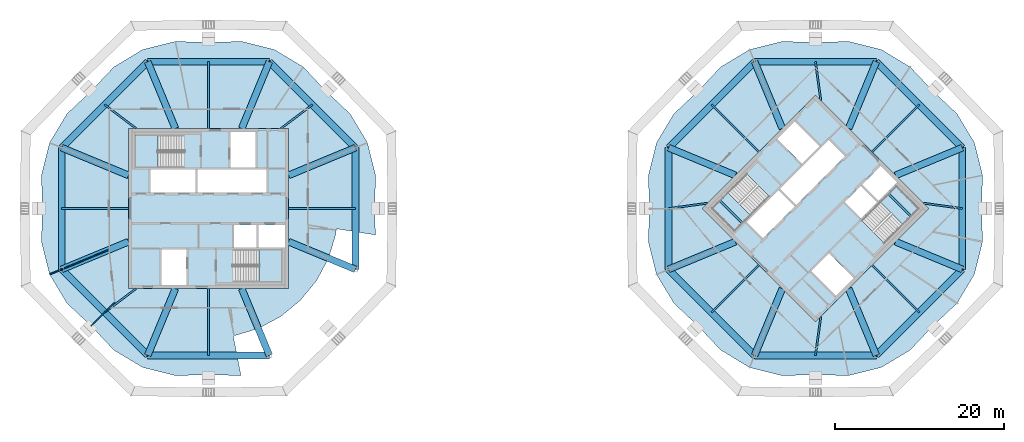
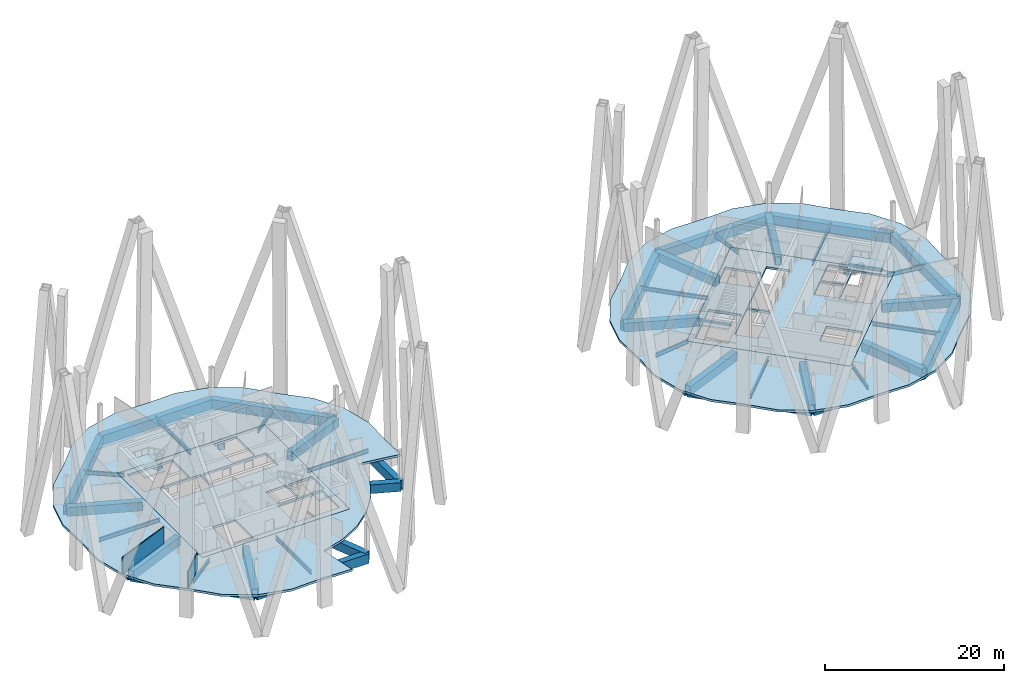
# One storey, part 3 of 11: 48 beams, 8 slabs, 2 walls, 4 elements without a shape of their own.
"""IFC4 building model written with IfcOpenShell, lengths in metres."""

from ifc_helpers import new_model, si_unit, direction, frame, frame_2d, origin, origin_2d, place, context, subcontext, project, spatial, polyline, rectangle, hollow_rectangle, i_section, outline, extrude, material, layer, layer_set, material_profile, profile_set, type_object, element, aggregate, save


model = new_model("IFC4")

# Units and contexts
model_context = context("Model", 3, precision=1e-05, world=origin(), true_north=direction((0.0, 1.0)))
body_context = subcontext(model_context, "Body", "Model", "MODEL_VIEW")
ifc_project = project(units=[si_unit("LENGTHUNIT", "METRE"), si_unit("AREAUNIT", "SQUARE_METRE"), si_unit("VOLUMEUNIT", "CUBIC_METRE"), si_unit("PLANEANGLEUNIT", "RADIAN"), si_unit("MASSUNIT", "GRAM", prefix="KILO")], contexts=[model_context])

# Site, building, storey
site_placement = place(None, origin())
site = spatial("IfcSite", under=ifc_project, at=site_placement, CompositionType="ELEMENT")
building_placement = place(site_placement, origin())
building = spatial("IfcBuilding", under=site, at=building_placement, Name="Ogive Gate Towers", CompositionType="ELEMENT")
storey_placement = place(building_placement, frame((0.0, 0.0, 244.5)))
storey = spatial("IfcBuildingStorey", under=building, at=storey_placement, Name="L58", CompositionType="ELEMENT", Elevation=244.5)

# Beams
ifc_material_1 = material(Name="Steel SM460", Category="steel")
ifc_material_profile_1 = material_profile(ifc_material_1, hollow_rectangle(XDim=0.800048828125, YDim=1.300048828125, WallThickness=0.050048828125, at=origin_2d()), Name="BX 1300x800x50")
ifc_profile_set_1 = profile_set([ifc_material_profile_1], Name="Steel SM460")
beam_type_1 = type_object("IfcBeamType", Name="Edge girder BX 1300x800x50", PredefinedType="BEAM", material=ifc_profile_set_1)
beam_1_placement = place(storey_placement, frame((-53.42431640625, -7.217529296875, -0.949951171875), z_axis=(0.707106781187, -0.707106781187, 0.0), x_axis=(0.707106781187, 0.707106781187, 0.0)))
element("IfcBeam", 1, at=beam_1_placement, inside=storey, type_object=beam_type_1, Name="T1/L58/SBM016", PredefinedType="BEAM", context=body_context, shape_type="SweptSolid", body=[
    extrude(hollow_rectangle(XDim=0.800048828125, YDim=1.300048828125, WallThickness=0.050048828125, at=origin_2d()), origin(), (0.0, 0.0, 1.0), 14.4345703125),
])
for number, where, z_axis, x_axis, name in (
    (2, (-43.217529296875, -17.42431640625, -0.949951171875), (1.0, 0.0, 0.0), (0.0, 1.0, 0.0), "T1/L58/SBM017"),
    (3, (-18.57568359375, -7.217529296875, -0.949951171875), (0.0, 1.0, 0.0), (-1.0, 0.0, 0.0), "T1/L58/SBM018"),
):
    element("IfcBeam", number, at=place(storey_placement, frame(where, z_axis=z_axis, x_axis=x_axis)), inside=storey, type_object=beam_type_1, Name=name, PredefinedType="BEAM", context=body_context, shape_type="SweptSolid", body=[
        extrude(hollow_rectangle(XDim=0.800048828125, YDim=1.300048828125, WallThickness=0.050048828125, at=origin_2d()), origin(), (0.0, 0.0, 1.0), 14.43505859375),
    ])
beam_2_placement = place(storey_placement, frame((-18.57568359375, 7.217529296875, -0.949951171875), z_axis=(-0.707106781187, 0.707106781187, 0.0), x_axis=(-0.707106781187, -0.707106781187, 0.0)))
element("IfcBeam", 4, at=beam_2_placement, inside=storey, type_object=beam_type_1, Name="T1/L58/SBM019", PredefinedType="BEAM", context=body_context, shape_type="SweptSolid", body=[
    extrude(hollow_rectangle(XDim=0.800048828125, YDim=1.300048828125, WallThickness=0.050048828125, at=origin_2d()), origin(), (0.0, 0.0, 1.0), 14.4345703125),
])
beam_3_placement = place(storey_placement, frame((-28.782470703125, 17.42431640625, -0.949951171875), z_axis=(-1.0, 0.0, 0.0), x_axis=(0.0, -1.0, 0.0)))
element("IfcBeam", 5, at=beam_3_placement, inside=storey, type_object=beam_type_1, Name="T1/L58/SBM020", PredefinedType="BEAM", context=body_context, shape_type="SweptSolid", body=[
    extrude(hollow_rectangle(XDim=0.800048828125, YDim=1.300048828125, WallThickness=0.050048828125, at=origin_2d()), origin(), (0.0, 0.0, 1.0), 14.43505859375),
])
beam_4_placement = place(storey_placement, frame((-43.217529296875, 17.42431640625, -0.949951171875), z_axis=(-0.707106781187, -0.707106781187, 0.0), x_axis=(0.707106781187, -0.707106781187, 0.0)))
element("IfcBeam", 6, at=beam_4_placement, inside=storey, type_object=beam_type_1, Name="T1/L58/SBM021", PredefinedType="BEAM", context=body_context, shape_type="SweptSolid", body=[
    extrude(hollow_rectangle(XDim=0.800048828125, YDim=1.300048828125, WallThickness=0.050048828125, at=origin_2d()), origin(), (0.0, 0.0, 1.0), 14.4345703125),
])
beam_5_placement = place(storey_placement, frame((-53.42431640625, 7.217529296875, -0.949951171875), z_axis=(0.0, -1.0, 0.0), x_axis=(1.0, 0.0, 0.0)))
element("IfcBeam", 7, at=beam_5_placement, inside=storey, type_object=beam_type_1, Name="T1/L58/SBM022", PredefinedType="BEAM", context=body_context, shape_type="SweptSolid", body=[
    extrude(hollow_rectangle(XDim=0.800048828125, YDim=1.300048828125, WallThickness=0.050048828125, at=origin_2d()), origin(), (0.0, 0.0, 1.0), 14.43505859375),
])
beam_6_placement = place(storey_placement, frame((18.57568359375, -7.217529296875, -0.949951171875), z_axis=(0.707106781187, -0.707106781187, 0.0), x_axis=(0.707106781187, 0.707106781187, 0.0)))
element("IfcBeam", 8, at=beam_6_placement, inside=storey, type_object=beam_type_1, Name="T2/L58/SBM017", PredefinedType="BEAM", context=body_context, shape_type="SweptSolid", body=[
    extrude(hollow_rectangle(XDim=0.800048828125, YDim=1.300048828125, WallThickness=0.050048828125, at=origin_2d()), origin(), (0.0, 0.0, 1.0), 14.4345703125),
])
beam_7_placement = place(storey_placement, frame((28.782470703125, -17.42431640625, -0.949951171875), z_axis=(1.0, 0.0, 0.0), x_axis=(0.0, 1.0, 0.0)))
element("IfcBeam", 9, at=beam_7_placement, inside=storey, type_object=beam_type_1, Name="T2/L58/SBM018", PredefinedType="BEAM", context=body_context, shape_type="SweptSolid", body=[
    extrude(hollow_rectangle(XDim=0.800048828125, YDim=1.300048828125, WallThickness=0.050048828125, at=origin_2d()), origin(), (0.0, 0.0, 1.0), 14.43505859375),
])
beam_8_placement = place(storey_placement, frame((43.217529296875, -17.42431640625, -0.949951171875), z_axis=(0.707106781187, 0.707106781187, 0.0), x_axis=(-0.707106781187, 0.707106781187, 0.0)))
element("IfcBeam", 10, at=beam_8_placement, inside=storey, type_object=beam_type_1, Name="T2/L58/SBM019", PredefinedType="BEAM", context=body_context, shape_type="SweptSolid", body=[
    extrude(hollow_rectangle(XDim=0.800048828125, YDim=1.300048828125, WallThickness=0.050048828125, at=origin_2d()), origin(), (0.0, 0.0, 1.0), 14.4345703125),
])
beam_9_placement = place(storey_placement, frame((53.42431640625, -7.217529296875, -0.949951171875), z_axis=(0.0, 1.0, 0.0), x_axis=(-1.0, 0.0, 0.0)))
element("IfcBeam", 11, at=beam_9_placement, inside=storey, type_object=beam_type_1, Name="T2/L58/SBM020", PredefinedType="BEAM", context=body_context, shape_type="SweptSolid", body=[
    extrude(hollow_rectangle(XDim=0.800048828125, YDim=1.300048828125, WallThickness=0.050048828125, at=origin_2d()), origin(), (0.0, 0.0, 1.0), 14.43505859375),
])
beam_10_placement = place(storey_placement, frame((53.42431640625, 7.217529296875, -0.949951171875), z_axis=(-0.707106781187, 0.707106781187, 0.0), x_axis=(-0.707106781187, -0.707106781187, 0.0)))
element("IfcBeam", 12, at=beam_10_placement, inside=storey, type_object=beam_type_1, Name="T2/L58/SBM021", PredefinedType="BEAM", context=body_context, shape_type="SweptSolid", body=[
    extrude(hollow_rectangle(XDim=0.800048828125, YDim=1.300048828125, WallThickness=0.050048828125, at=origin_2d()), origin(), (0.0, 0.0, 1.0), 14.4345703125),
])
beam_11_placement = place(storey_placement, frame((43.217529296875, 17.42431640625, -0.949951171875), z_axis=(-1.0, 0.0, 0.0), x_axis=(0.0, -1.0, 0.0)))
element("IfcBeam", 13, at=beam_11_placement, inside=storey, type_object=beam_type_1, Name="T2/L58/SBM022", PredefinedType="BEAM", context=body_context, shape_type="SweptSolid", body=[
    extrude(hollow_rectangle(XDim=0.800048828125, YDim=1.300048828125, WallThickness=0.050048828125, at=origin_2d()), origin(), (0.0, 0.0, 1.0), 14.43505859375),
])
beam_12_placement = place(storey_placement, frame((28.782470703125, 17.42431640625, -0.949951171875), z_axis=(-0.707106781187, -0.707106781187, 0.0), x_axis=(0.707106781187, -0.707106781187, 0.0)))
element("IfcBeam", 14, at=beam_12_placement, inside=storey, type_object=beam_type_1, Name="T2/L58/SBM023", PredefinedType="BEAM", context=body_context, shape_type="SweptSolid", body=[
    extrude(hollow_rectangle(XDim=0.800048828125, YDim=1.300048828125, WallThickness=0.050048828125, at=origin_2d()), origin(), (0.0, 0.0, 1.0), 14.4345703125),
])
beam_13_placement = place(storey_placement, frame((18.57568359375, 7.217529296875, -0.949951171875), z_axis=(0.0, -1.0, 0.0), x_axis=(1.0, 0.0, 0.0)))
element("IfcBeam", 15, at=beam_13_placement, inside=storey, type_object=beam_type_1, Name="T2/L58/SBM024", PredefinedType="BEAM", context=body_context, shape_type="SweptSolid", body=[
    extrude(hollow_rectangle(XDim=0.800048828125, YDim=1.300048828125, WallThickness=0.050048828125, at=origin_2d()), origin(), (0.0, 0.0, 1.0), 14.43505859375),
])
ifc_material_2 = material(Name="Concrete C40/50", Category="concrete")
ifc_material_profile_2 = material_profile(ifc_material_2, rectangle(XDim=0.25, YDim=0.300048828125, at=origin_2d()), Name="RC 250x300")
ifc_profile_set_2 = profile_set([ifc_material_profile_2], Name="Concrete C40/50")
beam_type_2 = type_object("IfcBeamType", Name="Landing bearer RC 250x300", PredefinedType="BEAM", material=ifc_profile_set_2)
for number, where, z_axis, x_axis, name in (
    (16, (24.650390625, 0.9541015625, 1.60009765625), (0.707106781187, -0.707106781187, 0.0), (0.707106781187, 0.707106781187, 0.0), "T2 L58 stair 1 landing bearer 1"),
    (17, (47.349609375, -0.9541015625, 1.60009765625), (-0.707106781187, 0.707106781187, 0.0), (-0.707106781187, -0.707106781187, 0.0), "T2 L58 stair 2 landing bearer 1"),
):
    element("IfcBeam", number, at=place(storey_placement, frame(where, z_axis=z_axis, x_axis=x_axis)), inside=storey, type_object=beam_type_2, Name=name, PredefinedType="BEAM", context=body_context, shape_type="SweptSolid", body=[
        extrude(rectangle(XDim=0.25, YDim=0.300048828125, at=origin_2d()), origin(), (0.0, 0.0, 1.0), 3.824951171875),
    ])
ifc_material_3 = material(Name="Steel SM355", Category="steel")
ifc_material_profile_3 = material_profile(ifc_material_3, i_section(OverallWidth=0.2099609375, OverallDepth=0.550048828125, WebThickness=0.010986328125, FlangeThickness=0.01708984375, FilletRadius=0.02392578125, at=origin_2d()), Name="IPE 550")
ifc_profile_set_3 = profile_set([ifc_material_profile_3], Name="Steel SM355")
beam_type_3 = type_object("IfcBeamType", Name="Radial floor beam IPE 550", PredefinedType="BEAM", material=ifc_profile_set_3)
beam_14_placement = place(storey_placement, frame((-44.60009765625, -9.5, -0.574951171875), z_axis=(-0.796877025219, -0.604141545235, 0.0), x_axis=(0.604141545235, -0.796877025219, 0.0)))
element("IfcBeam", 18, at=beam_14_placement, inside=storey, type_object=beam_type_3, Name="T1/L58/SBM002", PredefinedType="BEAM", context=body_context, shape_type="SweptSolid", body=[
    extrude(i_section(OverallWidth=0.2099609375, OverallDepth=0.550048828125, WebThickness=0.010986328125, FlangeThickness=0.01708984375, FilletRadius=0.02392578125, at=origin_2d()), origin(), (0.0, 0.0, 1.0), 4.669189453125),
])
for number, where, z_axis, x_axis, name in (
    (19, (-36.0, -9.5, -0.574951171875), (0.0, -1.0, 0.0), (1.0, 0.0, 0.0), "T1/L58/SBM004"),
    (20, (-26.5, 0.0, -0.574951171875), (1.0, 0.0, 0.0), (0.0, 1.0, 0.0), "T1/L58/SBM007"),
):
    element("IfcBeam", number, at=place(storey_placement, frame(where, z_axis=z_axis, x_axis=x_axis)), inside=storey, type_object=beam_type_3, Name=name, PredefinedType="BEAM", context=body_context, shape_type="SweptSolid", body=[
        extrude(i_section(OverallWidth=0.2099609375, OverallDepth=0.550048828125, WebThickness=0.010986328125, FlangeThickness=0.01708984375, FilletRadius=0.02392578125, at=origin_2d()), origin(), (0.0, 0.0, 1.0), 7.92431640625),
    ])
beam_15_placement = place(storey_placement, frame((-27.39990234375, 9.5, -0.574951171875), z_axis=(0.796877025219, 0.604141545235, 0.0), x_axis=(-0.604141545235, 0.796877025219, 0.0)))
element("IfcBeam", 21, at=beam_15_placement, inside=storey, type_object=beam_type_3, Name="T1/L58/SBM009", PredefinedType="BEAM", context=body_context, shape_type="SweptSolid", body=[
    extrude(i_section(OverallWidth=0.2099609375, OverallDepth=0.550048828125, WebThickness=0.010986328125, FlangeThickness=0.01708984375, FilletRadius=0.02392578125, at=origin_2d()), origin(), (0.0, 0.0, 1.0), 4.669189453125),
])
beam_16_placement = place(storey_placement, frame((-36.0, 9.5, -0.574951171875), z_axis=(0.0, 1.0, 0.0), x_axis=(-1.0, 0.0, 0.0)))
element("IfcBeam", 22, at=beam_16_placement, inside=storey, type_object=beam_type_3, Name="T1/L58/SBM011", PredefinedType="BEAM", context=body_context, shape_type="SweptSolid", body=[
    extrude(i_section(OverallWidth=0.2099609375, OverallDepth=0.550048828125, WebThickness=0.010986328125, FlangeThickness=0.01708984375, FilletRadius=0.02392578125, at=origin_2d()), origin(), (0.0, 0.0, 1.0), 7.92431640625),
])
beam_17_placement = place(storey_placement, frame((-44.60009765625, 9.5, -0.574951171875), z_axis=(-0.796877025219, 0.604141545235, 0.0), x_axis=(-0.604141545235, -0.796877025219, 0.0)))
element("IfcBeam", 23, at=beam_17_placement, inside=storey, type_object=beam_type_3, Name="T1/L58/SBM013", PredefinedType="BEAM", context=body_context, shape_type="SweptSolid", body=[
    extrude(i_section(OverallWidth=0.2099609375, OverallDepth=0.550048828125, WebThickness=0.010986328125, FlangeThickness=0.01708984375, FilletRadius=0.02392578125, at=origin_2d()), origin(), (0.0, 0.0, 1.0), 4.669189453125),
])
for number, where, z_axis, x_axis, name in (
    (24, (-45.5, 0.0, -0.574951171875), (-1.0, 0.0, 0.0), (0.0, -1.0, 0.0), "T1/L58/SBM015"),
    (25, (29.282470703125, -6.717529296875, -0.574951171875), (-0.707106781187, -0.707106781187, 0.0), (0.707106781187, -0.707106781187, 0.0), "T2/L58/SBM002"),
):
    element("IfcBeam", number, at=place(storey_placement, frame(where, z_axis=z_axis, x_axis=x_axis)), inside=storey, type_object=beam_type_3, Name=name, PredefinedType="BEAM", context=body_context, shape_type="SweptSolid", body=[
        extrude(i_section(OverallWidth=0.2099609375, OverallDepth=0.550048828125, WebThickness=0.010986328125, FlangeThickness=0.01708984375, FilletRadius=0.02392578125, at=origin_2d()), origin(), (0.0, 0.0, 1.0), 7.92431640625),
    ])
beam_18_placement = place(storey_placement, frame((36.636474609375, -12.798583984375, -0.574951171875), z_axis=(-0.136310067219, -0.990666223092, 0.0), x_axis=(0.990666223092, -0.136310067219, 0.0)))
element("IfcBeam", 26, at=beam_18_placement, inside=storey, type_object=beam_type_3, Name="T2/L58/SBM004", PredefinedType="BEAM", context=body_context, shape_type="SweptSolid", body=[
    extrude(i_section(OverallWidth=0.2099609375, OverallDepth=0.550048828125, WebThickness=0.010986328125, FlangeThickness=0.01708984375, FilletRadius=0.02392578125, at=origin_2d()), origin(), (0.0, 0.0, 1.0), 4.66943359375),
])
beam_19_placement = place(storey_placement, frame((42.717529296875, -6.717529296875, -0.574951171875), z_axis=(0.707106781187, -0.707106781187, 0.0), x_axis=(0.707106781187, 0.707106781187, 0.0)))
element("IfcBeam", 27, at=beam_19_placement, inside=storey, type_object=beam_type_3, Name="T2/L58/SBM006", PredefinedType="BEAM", context=body_context, shape_type="SweptSolid", body=[
    extrude(i_section(OverallWidth=0.2099609375, OverallDepth=0.550048828125, WebThickness=0.010986328125, FlangeThickness=0.01708984375, FilletRadius=0.02392578125, at=origin_2d()), origin(), (0.0, 0.0, 1.0), 7.92431640625),
])
beam_20_placement = place(storey_placement, frame((48.798583984375, 0.636474609375, -0.574951171875), z_axis=(0.990666223092, -0.136310067219, 0.0), x_axis=(0.136310067219, 0.990666223092, 0.0)))
element("IfcBeam", 28, at=beam_20_placement, inside=storey, type_object=beam_type_3, Name="T2/L58/SBM008", PredefinedType="BEAM", context=body_context, shape_type="SweptSolid", body=[
    extrude(i_section(OverallWidth=0.2099609375, OverallDepth=0.550048828125, WebThickness=0.010986328125, FlangeThickness=0.01708984375, FilletRadius=0.02392578125, at=origin_2d()), origin(), (0.0, 0.0, 1.0), 4.66943359375),
])
beam_21_placement = place(storey_placement, frame((42.717529296875, 6.717529296875, -0.574951171875), z_axis=(0.707106781187, 0.707106781187, 0.0), x_axis=(-0.707106781187, 0.707106781187, 0.0)))
element("IfcBeam", 29, at=beam_21_placement, inside=storey, type_object=beam_type_3, Name="T2/L58/SBM010", PredefinedType="BEAM", context=body_context, shape_type="SweptSolid", body=[
    extrude(i_section(OverallWidth=0.2099609375, OverallDepth=0.550048828125, WebThickness=0.010986328125, FlangeThickness=0.01708984375, FilletRadius=0.02392578125, at=origin_2d()), origin(), (0.0, 0.0, 1.0), 7.92431640625),
])
beam_22_placement = place(storey_placement, frame((36.636474609375, 12.798583984375, -0.574951171875), z_axis=(-0.136310067219, 0.990666223092, 0.0), x_axis=(-0.990666223092, -0.136310067219, 0.0)))
element("IfcBeam", 30, at=beam_22_placement, inside=storey, type_object=beam_type_3, Name="T2/L58/SBM012", PredefinedType="BEAM", context=body_context, shape_type="SweptSolid", body=[
    extrude(i_section(OverallWidth=0.2099609375, OverallDepth=0.550048828125, WebThickness=0.010986328125, FlangeThickness=0.01708984375, FilletRadius=0.02392578125, at=origin_2d()), origin(), (0.0, 0.0, 1.0), 4.66943359375),
])
beam_23_placement = place(storey_placement, frame((29.282470703125, 6.717529296875, -0.574951171875), z_axis=(-0.707106781187, 0.707106781187, 0.0), x_axis=(-0.707106781187, -0.707106781187, 0.0)))
element("IfcBeam", 31, at=beam_23_placement, inside=storey, type_object=beam_type_3, Name="T2/L58/SBM014", PredefinedType="BEAM", context=body_context, shape_type="SweptSolid", body=[
    extrude(i_section(OverallWidth=0.2099609375, OverallDepth=0.550048828125, WebThickness=0.010986328125, FlangeThickness=0.01708984375, FilletRadius=0.02392578125, at=origin_2d()), origin(), (0.0, 0.0, 1.0), 7.92431640625),
])
beam_24_placement = place(storey_placement, frame((23.201416015625, 0.636474609375, -0.574951171875), z_axis=(-0.990666223092, -0.136310067219, 0.0), x_axis=(0.136310067219, -0.990666223092, 0.0)))
element("IfcBeam", 32, at=beam_24_placement, inside=storey, type_object=beam_type_3, Name="T2/L58/SBM016", PredefinedType="BEAM", context=body_context, shape_type="SweptSolid", body=[
    extrude(i_section(OverallWidth=0.2099609375, OverallDepth=0.550048828125, WebThickness=0.010986328125, FlangeThickness=0.01708984375, FilletRadius=0.02392578125, at=origin_2d()), origin(), (0.0, 0.0, 1.0), 4.66943359375),
])
ifc_material_profile_4 = material_profile(ifc_material_1, hollow_rectangle(XDim=0.800048828125, YDim=1.199951171875, WallThickness=0.050048828125, at=origin_2d()), Name="BX 1200x800x50")
ifc_profile_set_4 = profile_set([ifc_material_profile_4], Name="Steel SM460")
beam_type_4 = type_object("IfcBeamType", Name="Transfer radial beam BX 1200x800x50", PredefinedType="BEAM", material=ifc_profile_set_4)
for number, where, z_axis, x_axis, name in (
    (33, (-45.5, -3.93505859375, -0.89990234375), (-0.923874941579, -0.382694515667, 0.0), (0.382694515667, -0.923874941579, 0.0), "T1/L58/SBM001"),
    (34, (-39.93505859375, -9.5, -0.89990234375), (-0.382694515667, -0.923874941579, 0.0), (0.923874941579, -0.382694515667, 0.0), "T1/L58/SBM003"),
    (35, (-32.06494140625, -9.5, -0.89990234375), (0.382694515667, -0.923874941579, 0.0), (0.923874941579, 0.382694515667, 0.0), "T1/L58/SBM005"),
    (36, (-26.5, -3.93505859375, -0.89990234375), (0.923874941579, -0.382694515667, 0.0), (0.382694515667, 0.923874941579, 0.0), "T1/L58/SBM006"),
    (37, (-26.5, 3.93505859375, -0.89990234375), (0.923874941579, 0.382694515667, 0.0), (-0.382694515667, 0.923874941579, 0.0), "T1/L58/SBM008"),
    (38, (-32.06494140625, 9.5, -0.89990234375), (0.382694515667, 0.923874941579, 0.0), (-0.923874941579, 0.382694515667, 0.0), "T1/L58/SBM010"),
    (39, (-39.93505859375, 9.5, -0.89990234375), (-0.382694515667, 0.923874941579, 0.0), (-0.923874941579, -0.382694515667, 0.0), "T1/L58/SBM012"),
    (40, (-45.5, 3.93505859375, -0.89990234375), (-0.923874941579, 0.382694515667, 0.0), (-0.382694515667, -0.923874941579, 0.0), "T1/L58/SBM014"),
    (41, (26.5, -3.93505859375, -0.89990234375), (-0.923874941579, -0.382694515667, 0.0), (0.382694515667, -0.923874941579, 0.0), "T2/L58/SBM001"),
    (42, (32.06494140625, -9.5, -0.89990234375), (-0.382694515667, -0.923874941579, 0.0), (0.923874941579, -0.382694515667, 0.0), "T2/L58/SBM003"),
    (43, (39.93505859375, -9.5, -0.89990234375), (0.382694515667, -0.923874941579, 0.0), (0.923874941579, 0.382694515667, 0.0), "T2/L58/SBM005"),
    (44, (45.5, -3.93505859375, -0.89990234375), (0.923874941579, -0.382694515667, 0.0), (0.382694515667, 0.923874941579, 0.0), "T2/L58/SBM007"),
    (45, (45.5, 3.93505859375, -0.89990234375), (0.923874941579, 0.382694515667, 0.0), (-0.382694515667, 0.923874941579, 0.0), "T2/L58/SBM009"),
    (46, (39.93505859375, 9.5, -0.89990234375), (0.382694515667, 0.923874941579, 0.0), (-0.923874941579, 0.382694515667, 0.0), "T2/L58/SBM011"),
    (47, (32.06494140625, 9.5, -0.89990234375), (-0.382694515667, 0.923874941579, 0.0), (-0.923874941579, -0.382694515667, 0.0), "T2/L58/SBM013"),
    (48, (26.5, 3.93505859375, -0.89990234375), (-0.923874941579, 0.382694515667, 0.0), (-0.382694515667, -0.923874941579, 0.0), "T2/L58/SBM015"),
):
    element("IfcBeam", number, at=place(storey_placement, frame(where, z_axis=z_axis, x_axis=x_axis)), inside=storey, type_object=beam_type_4, Name=name, PredefinedType="BEAM", context=body_context, shape_type="SweptSolid", body=[
        extrude(hollow_rectangle(XDim=0.800048828125, YDim=1.199951171875, WallThickness=0.050048828125, at=origin_2d()), origin(), (0.0, 0.0, 1.0), 8.5771484375),
    ])

# Slabs
ifc_layer_1 = layer(ifc_material_2, 0.300048828125)
ifc_layer_set_1 = layer_set([ifc_layer_1], Name="Core slab C40/50 300 mm")
slab_type_1 = type_object("IfcSlabType", Name="Core slab C40/50 300 mm", PredefinedType="FLOOR", material=ifc_layer_set_1)
slab_1_placement = place(storey_placement, frame((0.0, 0.0, -0.300048828125)))
element("IfcSlab", 49, at=slab_1_placement, inside=storey, type_object=slab_type_1, Name="T1 L58 core slab", PredefinedType="FLOOR", context=body_context, shape_type="SweptSolid", body=[
    extrude(outline(polyline([(-45.5, -9.5), (-45.5, 9.5), (-26.5, 9.5), (-26.5, -9.5), (-45.5, -9.5)]), holes=[polyline([(-42.875, 1.925048828125), (-37.574951171875, 1.925048828125), (-37.574951171875, 4.625), (-42.875, 4.625), (-42.875, 1.925048828125)]), polyline([(-37.324951171875, 4.625), (-37.324951171875, 1.925048828125), (-29.125, 1.925048828125), (-29.125, 4.625), (-37.324951171875, 4.625)]), polyline([(-30.324951171875, -1.925048828125), (-32.97509765625, -1.925048828125), (-32.97509765625, -4.625), (-30.324951171875, -4.625), (-30.324951171875, -1.925048828125)]), polyline([(-26.949951171875, -4.625), (-26.949951171875, -1.925048828125), (-30.074951171875, -1.925048828125), (-30.074951171875, -4.625), (-26.949951171875, -4.625)]), polyline([(-33.375, 4.875), (-30.425048828125, 4.875), (-30.425048828125, 9.050048828125), (-33.375, 9.050048828125), (-33.375, 4.875)]), polyline([(-41.574951171875, -4.875), (-41.574951171875, -9.050048828125), (-38.625, -9.050048828125), (-38.625, -4.875), (-41.574951171875, -4.875)]), polyline([(-44.699951171875, 4.875), (-38.885009765625, 4.875), (-38.885009765625, 8.699951171875), (-44.699951171875, 8.699951171875), (-44.699951171875, 4.875)]), polyline([(-27.300048828125, -8.699951171875), (-27.300048828125, -4.875), (-33.114990234375, -4.875), (-33.114990234375, -8.699951171875), (-27.300048828125, -8.699951171875)])]), origin(), (0.0, 0.0, 1.0), 0.300048828125),
])
slab_2_placement = place(storey_placement, frame((0.0, 0.0, -0.300048828125)))
element("IfcSlab", 50, at=slab_2_placement, inside=storey, type_object=slab_type_1, Name="T2 L58 core slab", PredefinedType="FLOOR", context=body_context, shape_type="SweptSolid", body=[
    extrude(outline(polyline([(36.0, -13.43505859375), (22.56494140625, 0.0), (36.0, 13.43505859375), (49.43505859375, 0.0), (36.0, -13.43505859375)]), holes=[polyline([(29.777587890625, -3.500244140625), (33.525146484375, 0.24755859375), (31.615966796875, 2.15673828125), (27.868408203125, -1.591064453125), (29.777587890625, -3.500244140625)]), polyline([(31.792724609375, 2.33349609375), (33.701904296875, 0.42431640625), (39.500244140625, 6.222412109375), (37.591064453125, 8.131591796875), (31.792724609375, 2.33349609375)]), polyline([(41.3740234375, 2.651611328125), (39.500244140625, 0.77783203125), (41.409423828125, -1.13134765625), (43.283203125, 0.742431640625), (41.3740234375, 2.651611328125)]), polyline([(45.669677734375, 3.12890625), (43.760498046875, 5.0380859375), (41.55078125, 2.828369140625), (43.4599609375, 0.919189453125), (45.669677734375, 3.12890625)]), polyline([(34.408935546875, 5.30322265625), (36.4951171875, 7.389404296875), (33.542724609375, 10.34130859375), (31.456787109375, 8.255615234375), (34.408935546875, 5.30322265625)]), polyline([(35.5048828125, -7.389404296875), (38.457275390625, -10.34130859375), (40.543212890625, -8.255615234375), (37.591064453125, -5.30322265625), (35.5048828125, -7.389404296875)]), polyline([(26.40087890625, -2.70458984375), (30.512939453125, 1.406982421875), (27.80810546875, 4.11181640625), (23.6962890625, 0.0), (26.40087890625, -2.70458984375)]), polyline([(48.3037109375, 0.0), (45.59912109375, 2.70458984375), (41.487060546875, -1.406982421875), (44.19189453125, -4.11181640625), (48.3037109375, 0.0)])]), origin(), (0.0, 0.0, 1.0), 0.300048828125),
])
ifc_material_4 = material(Name="Concrete C35/45", Category="concrete")
ifc_layer_2 = layer(ifc_material_4, 0.300048828125)
ifc_layer_set_2 = layer_set([ifc_layer_2], Name="Floor slab 300")
slab_type_2 = type_object("IfcSlabType", Name="Floor slab 300", PredefinedType="FLOOR", material=ifc_layer_set_2)
slab_3_placement = place(storey_placement, frame((0.0, 0.0, -0.300048828125)))
element("IfcSlab", 51, at=slab_3_placement, inside=storey, type_object=slab_type_2, Name="T1/L58/SSL001", PredefinedType="FLOOR", context=body_context, shape_type="SweptSolid", body=[
    extrude(outline(polyline([(-39.94287109375, -19.82177734375), (-36.0, -19.7099609375), (-32.05712890625, -19.82177734375), (-32.1474609375, -19.819091796875), (-33.060791015625, -15.12060546875), (-32.99365234375, -15.114013671875), (-30.102783203125, -14.237060546875), (-27.438720703125, -12.81298828125), (-25.103515625, -10.896484375), (-23.18701171875, -8.561279296875), (-21.762939453125, -5.897216796875), (-20.885986328125, -3.00634765625), (-20.82666015625, -2.4033203125), (-16.201171875, -3.1357421875), (-16.17822265625, -3.94287109375), (-16.2900390625, 0.0), (-16.17822265625, 3.94287109375), (-17.1435546875, 7.810546875), (-19.196044921875, 11.22802734375), (-22.06298828125, 13.93701171875), (-24.77197265625, 16.803955078125), (-28.189453125, 18.8564453125), (-32.05712890625, 19.82177734375), (-36.0, 19.7099609375), (-39.94287109375, 19.82177734375), (-43.810546875, 18.8564453125), (-47.22802734375, 16.803955078125), (-49.93701171875, 13.93701171875), (-52.803955078125, 11.22802734375), (-54.8564453125, 7.810546875), (-55.82177734375, 3.94287109375), (-55.7099609375, 0.0), (-55.82177734375, -3.94287109375), (-54.8564453125, -7.810546875), (-52.803955078125, -11.22802734375), (-49.93701171875, -13.93701171875), (-47.22802734375, -16.803955078125), (-43.810546875, -18.8564453125), (-39.94287109375, -19.82177734375)]), holes=[polyline([(-26.5, -9.5), (-45.5, -9.5), (-45.5, 9.5), (-26.5, 9.5), (-26.5, -9.5)])]), origin(), (0.0, 0.0, 1.0), 0.300048828125),
])
slab_4_placement = place(storey_placement, frame((0.0, 0.0, -0.300048828125)))
element("IfcSlab", 52, at=slab_4_placement, inside=storey, type_object=slab_type_2, Name="T2/L58/SSL001", PredefinedType="FLOOR", context=body_context, shape_type="SweptSolid", body=[
    extrude(outline(polyline([(55.82177734375, -3.94287109375), (55.7099609375, 0.0), (55.82177734375, 3.94287109375), (54.8564453125, 7.810546875), (52.803955078125, 11.22802734375), (49.93701171875, 13.93701171875), (47.22802734375, 16.803955078125), (43.810546875, 18.8564453125), (39.94287109375, 19.82177734375), (36.0, 19.7099609375), (32.05712890625, 19.82177734375), (28.189453125, 18.8564453125), (24.77197265625, 16.803955078125), (22.06298828125, 13.93701171875), (19.196044921875, 11.22802734375), (17.1435546875, 7.810546875), (16.17822265625, 3.94287109375), (16.2900390625, 0.0), (16.17822265625, -3.94287109375), (17.1435546875, -7.810546875), (19.196044921875, -11.22802734375), (22.06298828125, -13.93701171875), (24.77197265625, -16.803955078125), (28.189453125, -18.8564453125), (32.05712890625, -19.82177734375), (36.0, -19.7099609375), (39.94287109375, -19.82177734375), (43.810546875, -18.8564453125), (47.22802734375, -16.803955078125), (49.93701171875, -13.93701171875), (52.803955078125, -11.22802734375), (54.8564453125, -7.810546875), (55.82177734375, -3.94287109375)]), holes=[polyline([(49.43505859375, 0.0), (36.0, -13.43505859375), (22.56494140625, 0.0), (36.0, 13.43505859375), (49.43505859375, 0.0)])]), origin(), (0.0, 0.0, 1.0), 0.300048828125),
])

# Stair, slab
stair_type = type_object("IfcStairType", Name="Escape stair 1840 wide", PredefinedType="HALF_TURN_STAIR", material=ifc_material_2)
stair_1_placement = place(storey_placement, origin())
stair_1 = element("IfcStair", 53, at=stair_1_placement, inside=storey, type_object=stair_type, Name="L58 Escape stair 1", PredefinedType="HALF_TURN_STAIR")
ifc_layer_3 = layer(ifc_material_2, 0.199951171875)
ifc_layer_set_3 = layer_set([ifc_layer_3], Name="Stair landing 200 mm")
slab_type_3 = type_object("IfcSlabType", Name="Stair landing 200 mm", PredefinedType="LANDING", material=ifc_layer_set_3)
slab_5_placement = place(storey_placement, frame((0.0, 0.0, 1.75)))
slab_5 = element("IfcSlab", 54, at=slab_5_placement, type_object=slab_type_3, Name="ST1 landing 1", PredefinedType="LANDING", context=body_context, shape_type="SweptSolid", body=[
    extrude(outline(polyline([(-42.00146484375, 8.699951171875), (-44.699951171875, 8.699951171875), (-44.699951171875, 4.875), (-42.00146484375, 4.875), (-42.00146484375, 8.699951171875)])), origin(), (0.0, 0.0, 1.0), 0.199951171875),
])
aggregate(stair_1, [slab_5])

stair_2_placement = place(storey_placement, origin())
stair_2 = element("IfcStair", 55, at=stair_2_placement, inside=storey, type_object=stair_type, Name="L58 Escape stair 2", PredefinedType="HALF_TURN_STAIR")
slab_6_placement = place(storey_placement, frame((0.0, 0.0, 1.75)))
slab_6 = element("IfcSlab", 56, at=slab_6_placement, type_object=slab_type_3, Name="ST2 landing 1", PredefinedType="LANDING", context=body_context, shape_type="SweptSolid", body=[
    extrude(outline(polyline([(-29.99853515625, -8.699951171875), (-27.300048828125, -8.699951171875), (-27.300048828125, -4.875), (-29.99853515625, -4.875), (-29.99853515625, -8.699951171875)])), origin(), (0.0, 0.0, 1.0), 0.199951171875),
])
aggregate(stair_2, [slab_6])

stair_3_placement = place(storey_placement, origin())
stair_3 = element("IfcStair", 57, at=stair_3_placement, inside=storey, type_object=stair_type, Name="L58 Escape stair 1", PredefinedType="HALF_TURN_STAIR")
slab_7_placement = place(storey_placement, frame((0.0, 0.0, 1.75)))
slab_7 = element("IfcSlab", 58, at=slab_7_placement, type_object=slab_type_3, Name="ST1 landing 1", PredefinedType="LANDING", context=body_context, shape_type="SweptSolid", body=[
    extrude(outline(polyline([(25.6044921875, 1.908203125), (23.6962890625, 0.0), (26.401123046875, -2.70458984375), (28.309326171875, -0.79638671875), (25.6044921875, 1.908203125)])), origin(), (0.0, 0.0, 1.0), 0.199951171875),
])
aggregate(stair_3, [slab_7])

stair_4_placement = place(storey_placement, origin())
stair_4 = element("IfcStair", 59, at=stair_4_placement, inside=storey, type_object=stair_type, Name="L58 Escape stair 2", PredefinedType="HALF_TURN_STAIR")
slab_8_placement = place(storey_placement, frame((0.0, 0.0, 1.75)))
slab_8 = element("IfcSlab", 60, at=slab_8_placement, type_object=slab_type_3, Name="ST2 landing 1", PredefinedType="LANDING", context=body_context, shape_type="SweptSolid", body=[
    extrude(outline(polyline([(46.3955078125, -1.908203125), (48.3037109375, 0.0), (45.598876953125, 2.70458984375), (43.690673828125, 0.79638671875), (46.3955078125, -1.908203125)])), origin(), (0.0, 0.0, 1.0), 0.199951171875),
])
aggregate(stair_4, [slab_8])

# Walls
ifc_material_5 = material(Name="Gypsum board partition")
ifc_layer_4 = layer(ifc_material_5, 0.125)
ifc_layer_set_4 = layer_set([ifc_layer_4], Name="Partition 125")
wall_type = type_object("IfcWallType", Name="Partition 125", PredefinedType="PARTITIONING", material=ifc_layer_set_4)
wall_1_placement = place(storey_placement, frame((-54.8564453125, -7.810546875, 0.0), z_axis=(0.0, 0.0, 1.0), x_axis=(0.923878587447, 0.382685713945, 0.0)))
element("IfcWall", 61, at=wall_1_placement, inside=storey, type_object=wall_type, Name="Partition T1-L58-005", PredefinedType="PARTITIONING", context=body_context, shape_type="SweptSolid", body=[
    extrude(rectangle(XDim=7.576416015625, YDim=0.125, at=frame_2d((3.7880859375, 0.0))), origin(), (0.0, 0.0, 1.0), 2.300048828125),
])
wall_2_placement = place(storey_placement, frame((-49.936279296875, -13.936279296875, 0.0), z_axis=(0.0, 0.0, 1.0), x_axis=(0.707106781187, 0.707106781187, 0.0)))
element("IfcWall", 62, at=wall_2_placement, inside=storey, type_object=wall_type, Name="Partition T1-L58-006", PredefinedType="PARTITIONING", context=body_context, shape_type="SweptSolid", body=[
    extrude(rectangle(XDim=3.92626953125, YDim=0.125, at=frame_2d((1.963134765625, 0.0))), origin(), (0.0, 0.0, 1.0), 2.300048828125),
])

save(model, "model.ifc")
